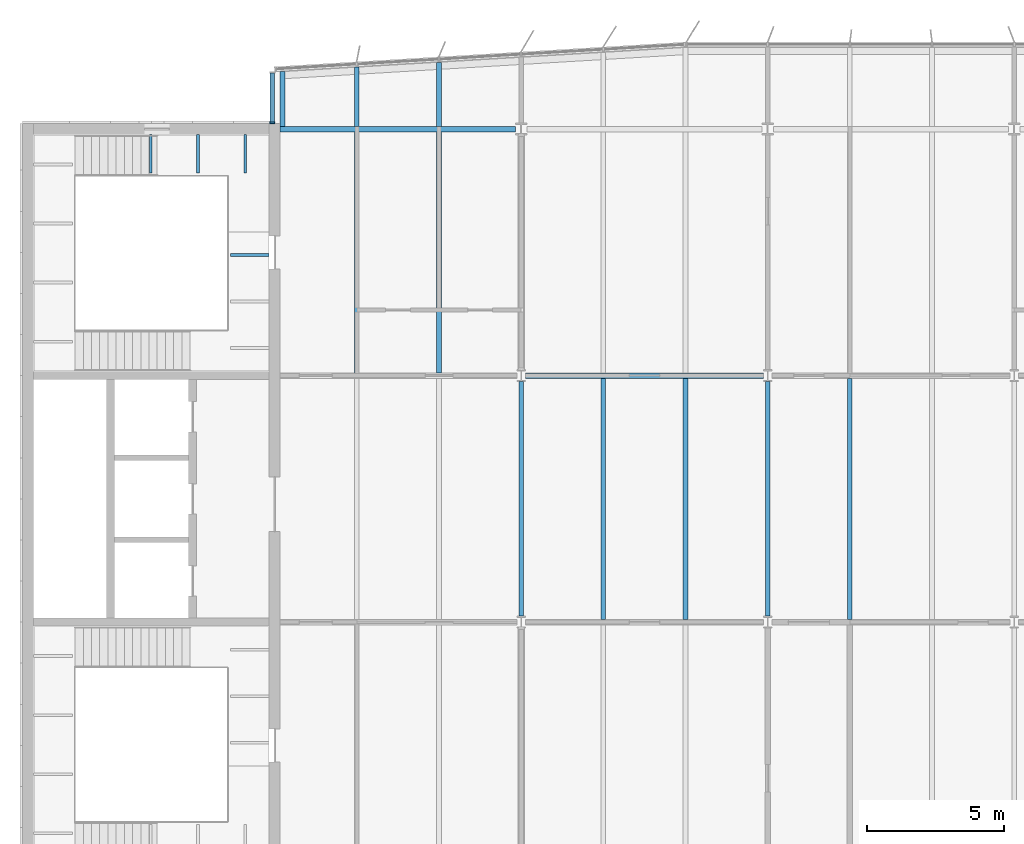
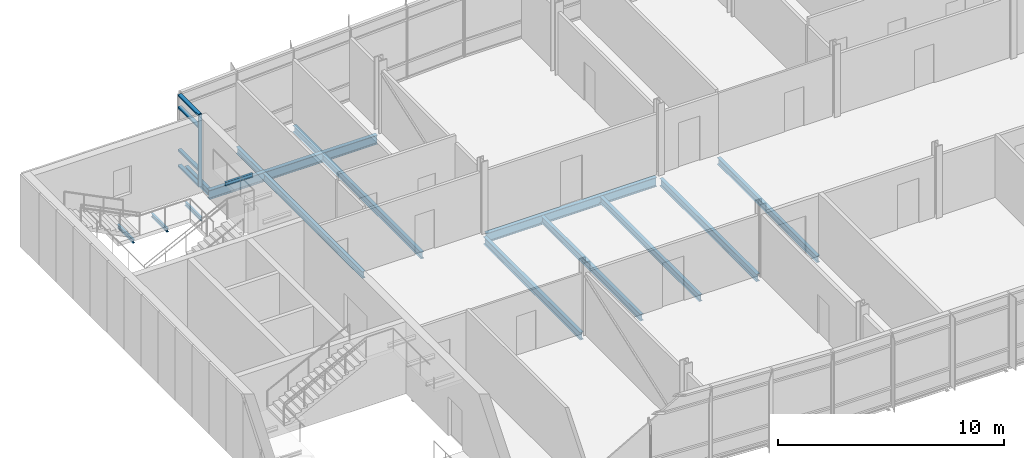
# One storey, part 4 of 18: 16 beams, 5 members, 1 element without a shape of its own.
"""IFC4 building model written with IfcOpenShell, lengths in metres."""

import ifcopenshell
import ifcopenshell.guid

model = None  # the IFC model being written
_history = None  # IfcOwnerHistory: only IFC2X3 demands one
_inside = {}  # id of a spatial element -> (the spatial element, [elements in it])
_under = {}  # id of a project, library or spatial element -> (it, [spatial elements below it])
_declared = {}  # id of a project -> (the project, [libraries it declares])
_typed = {}  # id of a type object -> (the type object, [elements of that type])
_made_of = {}  # id of a material, layer set ... -> (it, [elements and type objects made of it])


def new_model(schema):
    """Start an empty IFC model of exactly this schema.

    Asked for "IFC4X3", IfcOpenShell would pick the latest addendum, in which some entities
    have other attributes; the version numbers below select the first issue.
    IFC2X3 requires an IfcOwnerHistory on every rooted entity: one is made here for all.
    """
    global model, _history
    if schema == "IFC4X3":
        model = ifcopenshell.file(schema_version=(4, 3, 0, 0))
    else:
        model = ifcopenshell.file(schema=schema)
    _inside.clear()
    _under.clear()
    _declared.clear()
    _typed.clear()
    _made_of.clear()
    _history = None
    if model.schema == "IFC2X3":
        org = make("IfcOrganization", Name="unknown")
        user = make(
            "IfcPersonAndOrganization",
            ThePerson=make("IfcPerson", FamilyName="unknown"),
            TheOrganization=org,
        )
        app = make(
            "IfcApplication",
            ApplicationDeveloper=org,
            Version="unknown",
            ApplicationFullName="unknown",
            ApplicationIdentifier="unknown",
        )
        _history = make(
            "IfcOwnerHistory",
            OwningUser=user,
            OwningApplication=app,
            ChangeAction="ADDED",
            CreationDate=0,
        )
    return model


def make(cls, **values):
    """One entity of the class cls with the attributes given. An attribute that is None is left unset."""
    return model.create_entity(
        cls, **{name: value for name, value in values.items() if value is not None}
    )


def rooted(cls, **values):
    """An entity with a GlobalId (a new one), such as an element, a storey or a relation."""
    return make(cls, GlobalId=ifcopenshell.guid.new(), OwnerHistory=_history, **values)


def si_unit(unit_type, name, prefix=None):
    """IfcSIUnit, for example si_unit("LENGTHUNIT", "METRE", prefix="MILLI")."""
    return make("IfcSIUnit", UnitType=unit_type, Prefix=prefix, Name=name)


def assignment(units):
    """IfcUnitAssignment: the units of a project."""
    return None if units is None else make("IfcUnitAssignment", Units=units)


def point(xyz):
    """IfcCartesianPoint."""
    return None if xyz is None else make("IfcCartesianPoint", Coordinates=xyz)


def direction(xyz):
    """IfcDirection."""
    return None if xyz is None else make("IfcDirection", DirectionRatios=xyz)


def frame(location, z_axis=None, x_axis=None):
    """IfcAxis2Placement3D, a coordinate frame: its origin and axes. An axis left out is left unset."""
    return make(
        "IfcAxis2Placement3D",
        Location=point(location),
        Axis=direction(z_axis),
        RefDirection=direction(x_axis),
    )


def frame_2d(location, x_axis=None):
    """IfcAxis2Placement2D, a coordinate frame in the plane: its origin and x axis."""
    return make(
        "IfcAxis2Placement2D", Location=point(location), RefDirection=direction(x_axis)
    )


def origin():
    """The frame at (0, 0, 0) with its axes left unset."""
    return frame((0.0, 0.0, 0.0))


def origin_2d():
    """The frame at (0, 0) in the plane with its x axis left unset."""
    return frame_2d((0.0, 0.0))


def place(relative_to, where):
    """IfcLocalPlacement: puts the frame where relative to a parent placement (None: the world)."""
    return make(
        "IfcLocalPlacement", PlacementRelTo=relative_to, RelativePlacement=where
    )


def context(
    kind, dimensions, precision=None, world=None, true_north=None, identifier=None
):
    """IfcGeometricRepresentationContext, for example the 3D "Model" context."""
    return make(
        "IfcGeometricRepresentationContext",
        ContextIdentifier=identifier,
        ContextType=kind,
        CoordinateSpaceDimension=dimensions,
        Precision=precision,
        WorldCoordinateSystem=world,
        TrueNorth=true_north,
    )


def subcontext(parent, identifier, kind, view, scale=None):
    """IfcGeometricRepresentationSubContext, for example "Body" below "Model"."""
    return make(
        "IfcGeometricRepresentationSubContext",
        ContextIdentifier=identifier,
        ContextType=kind,
        ParentContext=parent,
        TargetScale=scale,
        TargetView=view,
    )


def project(units=None, contexts=None):
    """IfcProject with its units and contexts."""
    return rooted(
        "IfcProject",
        Name="project",
        RepresentationContexts=contexts,
        UnitsInContext=assignment(units),
    )


def spatial(cls, under=None, at=None, **own):
    """A site, building, storey or space (cls), placed at a placement, below another one or the project."""
    s = rooted(cls, ObjectPlacement=at, **own)
    if under is not None:
        _under.setdefault(under.id(), (under, []))[1].append(s)
    return s


def profile(cls, at=None, kind="AREA", **sizes):
    """A parametric profile (cls). Its sizes go by their IFC names, for example OverallWidth=200.0."""
    return make(cls, ProfileType=kind, Position=at, **sizes)


def rectangle(**sizes):
    """IfcRectangleProfileDef."""
    return profile("IfcRectangleProfileDef", **sizes)


def i_section(**sizes):
    """IfcIShapeProfileDef."""
    return profile("IfcIShapeProfileDef", **sizes)


def extrude(swept, where, along, depth):
    """IfcExtrudedAreaSolid: the profile swept, set in the frame where, extruded along a direction by depth."""
    return make(
        "IfcExtrudedAreaSolid",
        SweptArea=swept,
        Position=where,
        ExtrudedDirection=direction(along),
        Depth=depth,
    )


def shape(context_of_items, identifier, shape_type, items):
    """IfcShapeRepresentation: the items that make up one representation, for example the "Body"."""
    return make(
        "IfcShapeRepresentation",
        ContextOfItems=context_of_items,
        RepresentationIdentifier=identifier,
        RepresentationType=shape_type,
        Items=items,
    )


def material(Name=None, Category=None):
    """IfcMaterial."""
    return make("IfcMaterial", Name=Name, Category=Category)


def material_profile(
    of_material, cross_section, Name=None, Category=None, Priority=None
):
    """IfcMaterialProfile: a cross section and its material."""
    return make(
        "IfcMaterialProfile",
        Name=Name,
        Material=of_material,
        Profile=cross_section,
        Priority=Priority,
        Category=Category,
    )


def profile_set(profiles, Name=None, composite=None):
    """IfcMaterialProfileSet."""
    return make(
        "IfcMaterialProfileSet",
        Name=Name,
        MaterialProfiles=profiles,
        CompositeProfile=composite,
    )


def made_of(thing, what):
    """Note that an element or type object is made of a material, layer set ...; save() writes the relation."""
    if what is not None:
        _made_of.setdefault(what.id(), (what, []))[1].append(thing)
    return thing


def type_object(cls, material=None, **own):
    """A type object (cls), such as IfcWallType, which elements share."""
    return made_of(rooted(cls, **own), material)


def element(
    cls,
    number,
    at=None,
    inside=None,
    cuts=None,
    type_object=None,
    material=None,
    context=None,
    identifier="Body",
    shape_type=None,
    held_by="IfcProductDefinitionShape",
    body=None,
    shapes=None,
    **own,
):
    """One element of the class cls, such as IfcWall. Its Tag is "e" and its number.

    at: its placement. inside: the storey or other place that contains it. cuts: it is an
    opening in that element (IfcRelVoidsElement). A single representation is given by context,
    identifier, shape_type and body (its items); several are given by shapes. held_by: the class
    of the entity that holds the representations. save() writes the other relations.
    """
    e = rooted(cls, Tag="e%d" % number, ObjectPlacement=at, **own)
    if body is not None:
        shapes = [shape(context, identifier, shape_type, body)]
    if shapes is not None:
        e.Representation = make(held_by, Representations=shapes)
    if inside is not None:
        _inside.setdefault(inside.id(), (inside, []))[1].append(e)
    if cuts is not None:
        rooted(
            "IfcRelVoidsElement", RelatingBuildingElement=cuts, RelatedOpeningElement=e
        )
    if type_object is not None:
        _typed.setdefault(type_object.id(), (type_object, []))[1].append(e)
    return made_of(e, material)


def aggregate(whole, parts):
    """IfcRelAggregates: a whole, such as a stair, and the parts it consists of."""
    return rooted("IfcRelAggregates", RelatingObject=whole, RelatedObjects=parts)


def save(model, path):
    """Write the relations noted so far, then the file.

    IfcRelAggregates (storeys below a building ...), IfcRelContainedInSpatialStructure (elements
    in a storey), IfcRelDefinesByType, IfcRelAssociatesMaterial and IfcRelDeclares: one each for
    every whole, place, type object, material and project.
    """
    for whole, parts in _under.values():
        aggregate(whole, parts)
    for where, things in _inside.values():
        rooted(
            "IfcRelContainedInSpatialStructure",
            RelatedElements=things,
            RelatingStructure=where,
        )
    for kind, things in _typed.values():
        rooted("IfcRelDefinesByType", RelatedObjects=things, RelatingType=kind)
    for what, things in _made_of.values():
        rooted("IfcRelAssociatesMaterial", RelatedObjects=things, RelatingMaterial=what)
    for by, libraries in _declared.values():
        rooted("IfcRelDeclares", RelatingContext=by, RelatedDefinitions=libraries)
    model.write(path)


model = new_model("IFC4")

# Units and contexts
model_context = context("Model", 3, precision=1e-05, world=origin(), true_north=direction((0.0, 1.0)))
body_context = subcontext(model_context, "Body", "Model", "MODEL_VIEW")
ifc_project = project(units=[si_unit("LENGTHUNIT", "METRE"), si_unit("AREAUNIT", "SQUARE_METRE"), si_unit("VOLUMEUNIT", "CUBIC_METRE"), si_unit("PLANEANGLEUNIT", "RADIAN"), si_unit("MASSUNIT", "GRAM", prefix="KILO")], contexts=[model_context])

# Site, building, storey
site_placement = place(None, origin())
site = spatial("IfcSite", under=ifc_project, at=site_placement, CompositionType="ELEMENT")
building_placement = place(site_placement, origin())
building = spatial("IfcBuilding", under=site, at=building_placement, Name="Azimuth Sports and Learning Centre", CompositionType="ELEMENT")
storey_placement = place(building_placement, frame((0.0, 0.0, 63.60009765625)))
storey = spatial("IfcBuildingStorey", under=building, at=storey_placement, Name="L14", CompositionType="ELEMENT", Elevation=63.60009765625)

# Beams
ifc_material_1 = material(Name="Steel S355", Category="steel")
ifc_material_profile_1 = material_profile(ifc_material_1, i_section(OverallWidth=0.10009765625, OverallDepth=0.199951171875, WebThickness=0.005615234375, FlangeThickness=0.008544921875, FilletRadius=0.011962890625, at=origin_2d()), Name="IPE 200")
ifc_profile_set_1 = profile_set([ifc_material_profile_1], Name="Steel S355")
beam_type_1 = type_object("IfcBeamType", Name="Beam IPE 200", PredefinedType="BEAM", material=ifc_profile_set_1)
for number, where, z_axis, x_axis, name in (
    (1, (58.473388671875, 116.800048828125, -0.300048828125), (0.0, -1.0, 0.0), (1.0, 0.0, 0.0), "Landing bracket W2 L14 317"),
    (2, (60.199951171875, 116.800048828125, -0.300048828125), (0.0, -1.0, 0.0), (1.0, 0.0, 0.0), "Landing bracket W2 L14 318"),
    (3, (61.9267578125, 116.800048828125, -0.300048828125), (0.0, -1.0, 0.0), (1.0, 0.0, 0.0), "Landing bracket W2 L14 319"),
    (4, (62.800048828125, 112.401611328125, 3.599853515625), (-1.0, 0.0, 0.0), (0.0, -1.0, 0.0), "Landing bracket W2 L14 326"),
):
    element("IfcBeam", number, at=place(storey_placement, frame(where, z_axis=z_axis, x_axis=x_axis)), inside=storey, type_object=beam_type_1, Name=name, PredefinedType="BEAM", context=body_context, shape_type="SweptSolid", body=[
        extrude(i_section(OverallWidth=0.10009765625, OverallDepth=0.199951171875, WebThickness=0.005615234375, FlangeThickness=0.008544921875, FilletRadius=0.011962890625, at=origin_2d()), origin(), (0.0, 0.0, 1.0), 1.41015625),
    ])
ifc_material_2 = material(Name="Steel S355", Category="steel")
ifc_material_profile_2 = material_profile(ifc_material_2, i_section(OverallWidth=0.179931640625, OverallDepth=0.39990234375, WebThickness=0.008544921875, FlangeThickness=0.013427734375, FilletRadius=0.02099609375, at=origin_2d()), Name="IPE 400")
ifc_profile_set_2 = profile_set([ifc_material_profile_2], Name="Steel S355")
beam_type_2 = type_object("IfcBeamType", Name="Beam IPE 400", PredefinedType="BEAM", material=ifc_profile_set_2)
for number, where, z_axis, x_axis, name in (
    (5, (72.0, 99.216064453125, -0.330078125), (0.0, 1.0, 0.0), (-1.0, 0.0, 0.0), "Tower tie"),
    (6, (81.0, 99.216064453125, -0.330078125), (0.0, 1.0, 0.0), (-1.0, 0.0, 0.0), "Tower tie"),
):
    element("IfcBeam", number, at=place(storey_placement, frame(where, z_axis=z_axis, x_axis=x_axis)), inside=storey, type_object=beam_type_2, Name=name, PredefinedType="BEAM", context=body_context, shape_type="SweptSolid", body=[
        extrude(i_section(OverallWidth=0.179931640625, OverallDepth=0.39990234375, WebThickness=0.008544921875, FlangeThickness=0.013427734375, FilletRadius=0.02099609375, at=origin_2d()), origin(), (0.0, 0.0, 1.0), 8.56787109375),
    ])
ifc_material_3 = material(Name="Steel S355", Category="steel")
ifc_material_profile_3 = material_profile(ifc_material_3, i_section(OverallWidth=0.199951171875, OverallDepth=0.5, WebThickness=0.01025390625, FlangeThickness=0.01611328125, FilletRadius=0.02099609375, at=origin_2d()), Name="IPE 500")
ifc_profile_set_3 = profile_set([ifc_material_profile_3], Name="Steel S355")
beam_type_3 = type_object("IfcBeamType", Name="Beam IPE 500", PredefinedType="BEAM", material=ifc_profile_set_3)
beam_1_placement = place(storey_placement, frame((72.153564453125, 108.0, -0.380126953125), z_axis=(1.0, 0.0, 0.0), x_axis=(0.0, 1.0, 0.0)))
element("IfcBeam", 7, at=beam_1_placement, inside=storey, type_object=beam_type_3, Name="Tower girder L14", PredefinedType="BEAM", context=body_context, shape_type="SweptSolid", body=[
    extrude(i_section(OverallWidth=0.199951171875, OverallDepth=0.5, WebThickness=0.01025390625, FlangeThickness=0.01611328125, FilletRadius=0.02099609375, at=origin_2d()), origin(), (0.0, 0.0, 1.0), 8.69287109375),
])
beam_2_placement = place(storey_placement, frame((63.199951171875, 117.0, -0.380126953125), z_axis=(1.0, 0.0, 0.0), x_axis=(0.0, 1.0, 0.0)))
element("IfcBeam", 8, at=beam_2_placement, inside=storey, type_object=beam_type_3, Name="Tower girder L14", PredefinedType="BEAM", context=body_context, shape_type="SweptSolid", body=[
    extrude(i_section(OverallWidth=0.199951171875, OverallDepth=0.5, WebThickness=0.01025390625, FlangeThickness=0.01611328125, FilletRadius=0.02099609375, at=origin_2d()), origin(), (0.0, 0.0, 1.0), 8.593994140625),
])
ifc_material_4 = material(Name="Steel S355", Category="steel")
ifc_material_profile_4 = material_profile(ifc_material_4, i_section(OverallWidth=0.169921875, OverallDepth=0.360107421875, WebThickness=0.008056640625, FlangeThickness=0.0126953125, FilletRadius=0.01806640625, at=origin_2d()), Name="IPE 360")
ifc_profile_set_4 = profile_set([ifc_material_profile_4], Name="Steel S355")
beam_type_4 = type_object("IfcBeamType", Name="Cantilever stub IPE 360", PredefinedType="JOIST", material=ifc_profile_set_4)
beam_3_placement = place(storey_placement, frame((63.284912109375, 117.10009765625, -0.31005859375), z_axis=(0.0, 1.0, 0.0), x_axis=(-1.0, 0.0, 0.0)))
element("IfcBeam", 9, at=beam_3_placement, inside=storey, type_object=beam_type_4, Name="Tower cantilever stub", PredefinedType="JOIST", context=body_context, shape_type="SweptSolid", body=[
    extrude(i_section(OverallWidth=0.169921875, OverallDepth=0.360107421875, WebThickness=0.008056640625, FlangeThickness=0.0126953125, FilletRadius=0.01806640625, at=origin_2d()), origin(), (0.0, 0.0, 1.0), 1.9970703125),
])
beam_4_placement = place(storey_placement, frame((66.0, 117.10009765625, -0.31005859375), z_axis=(0.0, 1.0, 0.0), x_axis=(-1.0, 0.0, 0.0)))
element("IfcBeam", 10, at=beam_4_placement, inside=storey, type_object=beam_type_4, Name="Tower cantilever stub", PredefinedType="JOIST", context=body_context, shape_type="SweptSolid", body=[
    extrude(i_section(OverallWidth=0.169921875, OverallDepth=0.360107421875, WebThickness=0.008056640625, FlangeThickness=0.0126953125, FilletRadius=0.01806640625, at=origin_2d()), origin(), (0.0, 0.0, 1.0), 2.159912109375),
])
beam_5_placement = place(storey_placement, frame((69.0, 117.10009765625, -0.31005859375), z_axis=(0.0, 1.0, 0.0), x_axis=(-1.0, 0.0, 0.0)))
element("IfcBeam", 11, at=beam_5_placement, inside=storey, type_object=beam_type_4, Name="Tower cantilever stub", PredefinedType="JOIST", context=body_context, shape_type="SweptSolid", body=[
    extrude(i_section(OverallWidth=0.169921875, OverallDepth=0.360107421875, WebThickness=0.008056640625, FlangeThickness=0.0126953125, FilletRadius=0.01806640625, at=origin_2d()), origin(), (0.0, 0.0, 1.0), 2.33984375),
])
ifc_material_5 = material(Name="Steel S355", Category="steel")
ifc_material_profile_5 = material_profile(ifc_material_5, i_section(OverallWidth=0.169921875, OverallDepth=0.360107421875, WebThickness=0.008056640625, FlangeThickness=0.0126953125, FilletRadius=0.01806640625, at=origin_2d()), Name="IPE 360")
ifc_profile_set_5 = profile_set([ifc_material_profile_5], Name="Steel S355")
beam_type_5 = type_object("IfcBeamType", Name="Joist IPE 360", PredefinedType="JOIST", material=ifc_profile_set_5)
for number, where, z_axis, x_axis, name in (
    (12, (66.0, 108.10009765625, -0.31005859375), (0.0, 1.0, 0.0), (-1.0, 0.0, 0.0), "Tower joist"),
    (13, (69.0, 108.10009765625, -0.31005859375), (0.0, 1.0, 0.0), (-1.0, 0.0, 0.0), "Tower joist"),
    (14, (75.0, 99.10009765625, -0.31005859375), (0.0, 1.0, 0.0), (-1.0, 0.0, 0.0), "Tower joist"),
    (15, (78.0, 99.10009765625, -0.31005859375), (0.0, 1.0, 0.0), (-1.0, 0.0, 0.0), "Tower joist"),
    (16, (84.0, 99.10009765625, -0.31005859375), (0.0, 1.0, 0.0), (-1.0, 0.0, 0.0), "Tower joist"),
):
    element("IfcBeam", number, at=place(storey_placement, frame(where, z_axis=z_axis, x_axis=x_axis)), inside=storey, type_object=beam_type_5, Name=name, PredefinedType="JOIST", context=body_context, shape_type="SweptSolid", body=[
        extrude(i_section(OverallWidth=0.169921875, OverallDepth=0.360107421875, WebThickness=0.008056640625, FlangeThickness=0.0126953125, FilletRadius=0.01806640625, at=origin_2d()), origin(), (0.0, 0.0, 1.0), 8.7998046875),
    ])

# Curtain wall, members
ifc_material_6 = material(Name="Aluminium and glass", Category="aluminium")
curtain_wall_type = type_object("IfcCurtainWallType", Name="Curtain wall tower return 180", PredefinedType="NOTDEFINED", material=ifc_material_6)
curtain_wall_placement = place(storey_placement, origin())
curtain_wall = element("IfcCurtainWall", 17, at=curtain_wall_placement, inside=storey, type_object=curtain_wall_type, Name="Curtain wall CW14-010", PredefinedType="NOTDEFINED")
ifc_material_7 = material(Name="Aluminium", Category="aluminium")
ifc_material_profile_6 = material_profile(ifc_material_7, rectangle(XDim=0.179931640625, YDim=0.06005859375, at=origin_2d()), Name="Mullion 60x180")
ifc_profile_set_6 = profile_set([ifc_material_profile_6], Name="Aluminium")
member_type_1 = type_object("IfcMemberType", Name="Mullion 60x180", PredefinedType="MULLION", material=ifc_profile_set_6)
member_1_placement = place(storey_placement, frame((62.909912109375, 117.22998046875, 0.0), z_axis=(0.0, 0.0, 1.0), x_axis=(1.0, 0.0, 0.0)))
member_1 = element("IfcMember", 18, at=member_1_placement, type_object=member_type_1, Name="CW14-010 mullion 2", PredefinedType="MULLION", context=body_context, shape_type="SweptSolid", body=[
    extrude(rectangle(XDim=0.179931640625, YDim=0.06005859375, at=origin_2d()), origin(), (0.0, 0.0, 1.0), 3.89990234375),
])
ifc_material_8 = material(Name="Aluminium", Category="aluminium")
ifc_material_profile_7 = material_profile(ifc_material_8, rectangle(XDim=0.179931640625, YDim=0.10009765625, at=origin_2d()), Name="Transom 100x180")
ifc_profile_set_7 = profile_set([ifc_material_profile_7], Name="Aluminium")
member_type_2 = type_object("IfcMemberType", Name="Transom 100x180", PredefinedType="USERDEFINED", material=ifc_profile_set_7)
member_2_placement = place(storey_placement, frame((62.909912109375, 119.0400390625, 0.0498046875), z_axis=(0.0, -1.0, 0.0), x_axis=(1.0, 0.0, 0.0)))
member_2 = element("IfcMember", 19, at=member_2_placement, type_object=member_type_2, Name="CW14-010 transom 1.1", ObjectType="TRANSOM", PredefinedType="USERDEFINED", context=body_context, shape_type="SweptSolid", body=[
    extrude(rectangle(XDim=0.179931640625, YDim=0.10009765625, at=origin_2d()), origin(), (0.0, 0.0, 1.0), 1.780029296875),
])
member_3_placement = place(storey_placement, frame((62.909912109375, 119.0400390625, 0.89990234375), z_axis=(0.0, -1.0, 0.0), x_axis=(1.0, 0.0, 0.0)))
member_3 = element("IfcMember", 20, at=member_3_placement, type_object=member_type_2, Name="CW14-010 transom 1.2", ObjectType="TRANSOM", PredefinedType="USERDEFINED", context=body_context, shape_type="SweptSolid", body=[
    extrude(rectangle(XDim=0.179931640625, YDim=0.10009765625, at=origin_2d()), origin(), (0.0, 0.0, 1.0), 1.780029296875),
])
member_4_placement = place(storey_placement, frame((62.909912109375, 119.0400390625, 3.199951171875), z_axis=(0.0, -1.0, 0.0), x_axis=(1.0, 0.0, 0.0)))
member_4 = element("IfcMember", 21, at=member_4_placement, type_object=member_type_2, Name="CW14-010 transom 1.3", ObjectType="TRANSOM", PredefinedType="USERDEFINED", context=body_context, shape_type="SweptSolid", body=[
    extrude(rectangle(XDim=0.179931640625, YDim=0.10009765625, at=origin_2d()), origin(), (0.0, 0.0, 1.0), 1.780029296875),
])
member_5_placement = place(storey_placement, frame((62.909912109375, 119.0400390625, 3.849853515625), z_axis=(0.0, -1.0, 0.0), x_axis=(1.0, 0.0, 0.0)))
member_5 = element("IfcMember", 22, at=member_5_placement, type_object=member_type_2, Name="CW14-010 transom 1.4", ObjectType="TRANSOM", PredefinedType="USERDEFINED", context=body_context, shape_type="SweptSolid", body=[
    extrude(rectangle(XDim=0.179931640625, YDim=0.10009765625, at=origin_2d()), origin(), (0.0, 0.0, 1.0), 1.780029296875),
])
aggregate(curtain_wall, [member_1, member_2, member_3, member_4, member_5])

save(model, "model.ifc")
